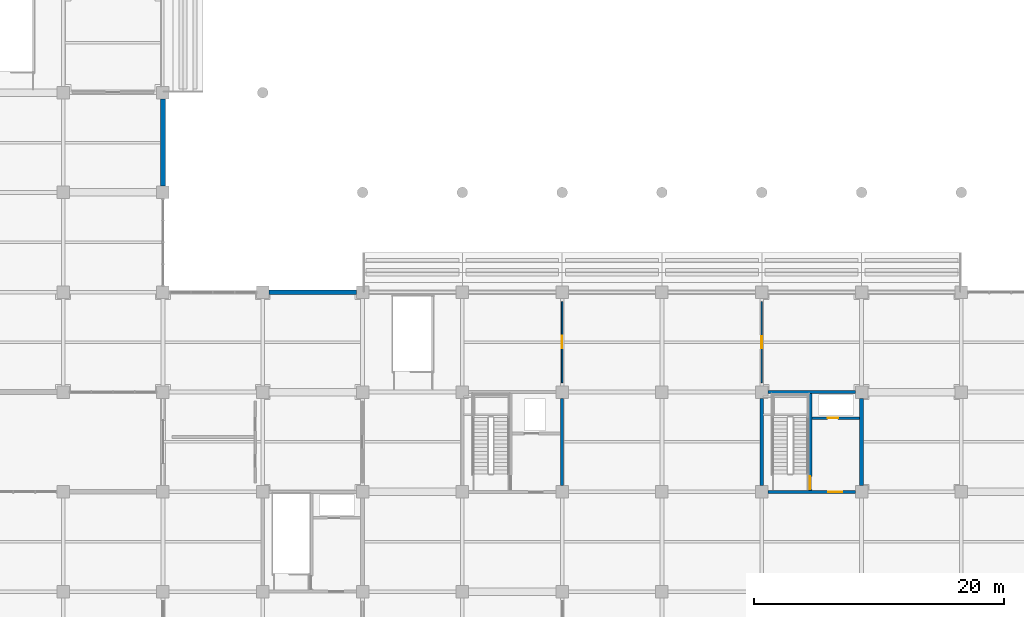
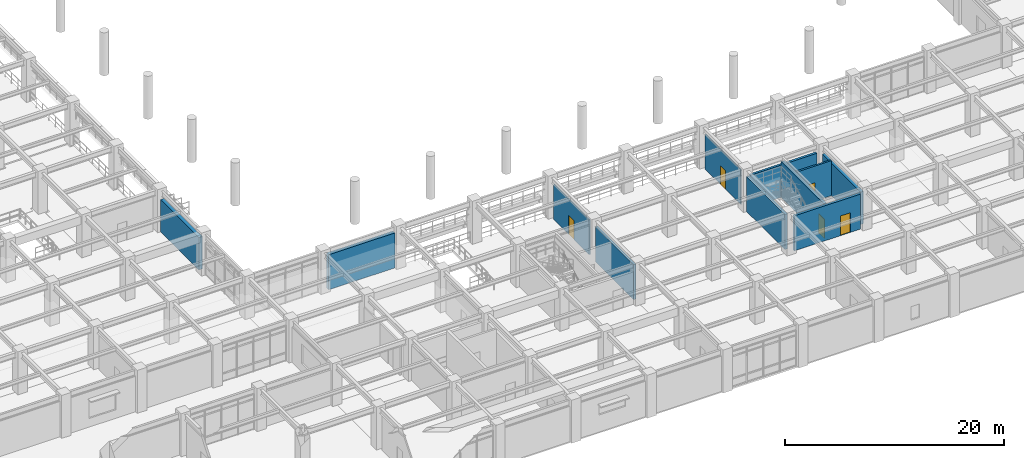
# One storey, part 73 of 117: 11 walls, 5 doors, 5 openings.
"""IFC4 building model written with IfcOpenShell, lengths in metres."""

from ifc_helpers import new_model, si_unit, direction, frame, frame_2d, origin, place, context, subcontext, project, spatial, rectangle, extrude, material, layer, layer_set, type_object, element, fill, save


model = new_model("IFC4")

# Units and contexts
model_context = context("Model", 3, precision=1e-05, world=origin(), true_north=direction((0.0, 1.0)))
body_context = subcontext(model_context, "Body", "Model", "MODEL_VIEW")
ifc_project = project(units=[si_unit("LENGTHUNIT", "METRE"), si_unit("AREAUNIT", "SQUARE_METRE"), si_unit("VOLUMEUNIT", "CUBIC_METRE"), si_unit("PLANEANGLEUNIT", "RADIAN"), si_unit("MASSUNIT", "GRAM", prefix="KILO")], contexts=[model_context])

# Site, building, storey
site_placement = place(None, origin())
site = spatial("IfcSite", under=ifc_project, at=site_placement, CompositionType="ELEMENT")
building_placement = place(site_placement, origin())
building = spatial("IfcBuilding", under=site, at=building_placement, Name="Haebicheon Civic Stadium", CompositionType="ELEMENT")
storey_placement = place(building_placement, frame((0.0, 0.0, 4.800048828125)))
storey = spatial("IfcBuildingStorey", under=building, at=storey_placement, Name="L02", CompositionType="ELEMENT", Elevation=4.800048828125)

# Wall
ifc_material_1 = material(Name="Concrete C40/50", Category="concrete")
ifc_layer_1 = layer(ifc_material_1, 0.239990234375, Name="Concrete C40/50")
ifc_layer_set_1 = layer_set([ifc_layer_1], Name="Concrete C40/50")
wall_type_1 = type_object("IfcWallType", Name="CW-SHR-240", PredefinedType="SHEAR", material=ifc_layer_set_1)
wall_1_placement = place(storey_placement, frame((96.0, 16.5, 0.0), z_axis=(0.0, 0.0, 1.0), x_axis=(0.0, 1.0, 0.0)))
element("IfcWall", 1, at=wall_1_placement, inside=storey, type_object=wall_type_1, material=ifc_layer_set_1, Name="KC-06 L02 east core shear wall", PredefinedType="SHEAR", context=body_context, shape_type="SweptSolid", body=[
    extrude(rectangle(XDim=7.0, YDim=0.239990234375, at=frame_2d((3.5, 0.0))), origin(), (0.0, 0.0, 1.0), 3.909912109375),
])

# Wall, opening, door
wall_2_placement = place(storey_placement, frame((112.5, 16.0, 0.0), z_axis=(0.0, 0.0, 1.0), x_axis=(1.0, 0.0, 0.0)))
wall_2 = element("IfcWall", 2, at=wall_2_placement, inside=storey, type_object=wall_type_1, material=ifc_layer_set_1, Name="KC-07 L02 south core shear wall", PredefinedType="SHEAR", context=body_context, shape_type="SweptSolid", body=[
    extrude(rectangle(XDim=7.0, YDim=0.239990234375, at=frame_2d((3.5, 0.0))), origin(), (0.0, 0.0, 1.0), 3.909912109375),
])
opening_1_placement = place(wall_2_placement, frame((4.85009765625, 0.0, 0.0)))
opening_1 = element("IfcOpeningElement", 3, at=opening_1_placement, cuts=wall_2, Name="Opening D-L02-KC-07-LOB", PredefinedType="OPENING", context=body_context, shape_type="SweptSolid", body=[
    extrude(rectangle(XDim=1.10009765625, YDim=2.199951171875, at=frame_2d((0.550048828125, 1.10009765625))), frame((0.0, 0.1298828125, 0.0), z_axis=(0.0, -1.0, 0.0), x_axis=(1.0, 0.0, 0.0)), (0.0, 0.0, 1.0), 0.260009765625),
])
ifc_material_2 = material(Name="Galvanised painted steel SM355", Category="steel")
door_type_1 = type_object("IfcDoorType", Name="ID-FD-1100", OperationType="NOTDEFINED", PredefinedType="DOOR", material=ifc_material_2)
door_1_placement = place(opening_1_placement, origin())
door_1 = element("IfcDoor", 4, at=door_1_placement, inside=storey, type_object=door_type_1, material=ifc_material_2, Name="L02 KC-07 lobby fire door", OperationType="SINGLE_SWING_LEFT", OverallHeight=2.199951171875, OverallWidth=1.10009765625, PredefinedType="DOOR", context=body_context, shape_type="SweptSolid", body=[
    extrude(rectangle(XDim=1.10009765625, YDim=2.199951171875, at=frame_2d((0.550048828125, 1.10009765625))), frame((0.0, 0.02490234375, 0.0), z_axis=(0.0, -1.0, 0.0), x_axis=(1.0, 0.0, 0.0)), (0.0, 0.0, 1.0), 0.050048828125),
])
fill(opening_1, door_1)

# Walls
wall_3_placement = place(storey_placement, frame((112.5, 24.0, 0.0), z_axis=(0.0, 0.0, 1.0), x_axis=(1.0, 0.0, 0.0)))
element("IfcWall", 5, at=wall_3_placement, inside=storey, type_object=wall_type_1, material=ifc_layer_set_1, Name="KC-07 L02 north core shear wall", PredefinedType="SHEAR", context=body_context, shape_type="SweptSolid", body=[
    extrude(rectangle(XDim=7.0, YDim=0.239990234375, at=frame_2d((3.5, 0.0))), origin(), (0.0, 0.0, 1.0), 3.60986328125),
])
ifc_material_3 = material(Name="Concrete C40/50", Category="concrete")
ifc_layer_2 = layer(ifc_material_3, 0.300048828125, Name="Concrete C40/50")
ifc_layer_set_2 = layer_set([ifc_layer_2], Name="Concrete C40/50")
wall_type_2 = type_object("IfcWallType", Name="CW-SHR-300", PredefinedType="SHEAR", material=ifc_layer_set_2)
wall_4_placement = place(storey_placement, frame((112.0, 16.5, 0.0), z_axis=(0.0, 0.0, 1.0), x_axis=(0.0, 1.0, 0.0)))
element("IfcWall", 6, at=wall_4_placement, inside=storey, type_object=wall_type_2, material=ifc_layer_set_2, Name="KC-07 L02 west core shear wall", PredefinedType="SHEAR", context=body_context, shape_type="SweptSolid", body=[
    extrude(rectangle(XDim=7.0, YDim=0.300048828125, at=frame_2d((3.5, 0.0))), origin(), (0.0, 0.0, 1.0), 3.909912109375),
])
wall_5_placement = place(storey_placement, frame((120.0, 16.5, 0.0), z_axis=(0.0, 0.0, 1.0), x_axis=(0.0, 1.0, 0.0)))
element("IfcWall", 7, at=wall_5_placement, inside=storey, type_object=wall_type_2, material=ifc_layer_set_2, Name="KC-07 L02 east core shear wall", PredefinedType="SHEAR", context=body_context, shape_type="SweptSolid", body=[
    extrude(rectangle(XDim=7.0, YDim=0.300048828125, at=frame_2d((3.5, 0.0))), origin(), (0.0, 0.0, 1.0), 3.60986328125),
])

# Wall, opening, door
wall_6_placement = place(storey_placement, frame((115.8798828125, 16.1201171875, 0.0), z_axis=(0.0, 0.0, 1.0), x_axis=(0.0, 1.0, 0.0)))
wall_6 = element("IfcWall", 8, at=wall_6_placement, inside=storey, type_object=wall_type_2, material=ifc_layer_set_2, Name="KC-07 L02 stair-lobby dividing shear wall", PredefinedType="SHEAR", context=body_context, shape_type="SweptSolid", body=[
    extrude(rectangle(XDim=7.759765625, YDim=0.300048828125, at=frame_2d((3.8798828125, 0.0))), origin(), (0.0, 0.0, 1.0), 4.010009765625),
])
opening_2_placement = place(wall_6_placement, frame((0.080078125, 0.0, 0.0)))
opening_2 = element("IfcOpeningElement", 9, at=opening_2_placement, cuts=wall_6, Name="Opening D-L02-KC-07-STR", PredefinedType="OPENING", context=body_context, shape_type="SweptSolid", body=[
    extrude(rectangle(XDim=1.050048828125, YDim=2.14990234375, at=frame_2d((0.52490234375, 1.074951171875))), frame((0.0, 0.159912109375, 0.0), z_axis=(0.0, -1.0, 0.0), x_axis=(1.0, 0.0, 0.0)), (0.0, 0.0, 1.0), 0.320068359375),
])
ifc_material_4 = material(Name="Galvanised painted steel SM355", Category="steel")
door_type_2 = type_object("IfcDoorType", Name="ID-FD-1050", OperationType="NOTDEFINED", PredefinedType="DOOR", material=ifc_material_4)
door_2_placement = place(opening_2_placement, origin())
door_2 = element("IfcDoor", 10, at=door_2_placement, inside=storey, type_object=door_type_2, material=ifc_material_4, Name="L02 ST-07 stairwell escape door", OperationType="SINGLE_SWING_RIGHT", OverallHeight=2.14990234375, OverallWidth=1.050048828125, PredefinedType="DOOR", context=body_context, shape_type="SweptSolid", body=[
    extrude(rectangle(XDim=1.050048828125, YDim=2.14990234375, at=frame_2d((0.52490234375, 1.074951171875))), frame((0.0, 0.02490234375, 0.0), z_axis=(0.0, -1.0, 0.0), x_axis=(1.0, 0.0, 0.0)), (0.0, 0.0, 1.0), 0.050048828125),
])
fill(opening_2, door_2)

# Walls
ifc_material_5 = material(Name="Concrete C40/50", Category="concrete")
ifc_layer_3 = layer(ifc_material_5, 0.3798828125, Name="Concrete C40/50")
ifc_layer_set_3 = layer_set([ifc_layer_3], Name="Concrete C40/50")
wall_type_3 = type_object("IfcWallType", Name="EW-BM-380", PredefinedType="SOLIDWALL", material=ifc_layer_set_3)
wall_7_placement = place(storey_placement, frame((64.0, 40.5, 0.0), z_axis=(0.0, 0.0, 1.0), x_axis=(0.0, 1.0, 0.0)))
element("IfcWall", 11, at=wall_7_placement, inside=storey, type_object=wall_type_3, material=ifc_layer_set_3, Name="L02 board-marked concrete facade wall 08-05-E", PredefinedType="SOLIDWALL", context=body_context, shape_type="SweptSolid", body=[
    extrude(rectangle(XDim=7.0, YDim=0.3798828125, at=frame_2d((3.5, 0.0))), origin(), (0.0, 0.0, 1.0), 3.60986328125),
])
wall_8_placement = place(storey_placement, frame((72.5, 32.0, 0.0), z_axis=(0.0, 0.0, 1.0), x_axis=(1.0, 0.0, 0.0)))
element("IfcWall", 12, at=wall_8_placement, inside=storey, type_object=wall_type_3, material=ifc_layer_set_3, Name="L02 board-marked concrete facade wall 09-04-N", PredefinedType="SOLIDWALL", context=body_context, shape_type="SweptSolid", body=[
    extrude(rectangle(XDim=7.0, YDim=0.3798828125, at=frame_2d((3.5, 0.0))), origin(), (0.0, 0.0, 1.0), 3.909912109375),
])

# Wall, opening, door
ifc_material_6 = material(Name="Concrete C35/45", Category="concrete")
ifc_layer_4 = layer(ifc_material_6, 0.199951171875, Name="Concrete C35/45")
ifc_layer_set_4 = layer_set([ifc_layer_4], Name="Concrete C35/45")
wall_type_4 = type_object("IfcWallType", Name="IW-FIR-200", PredefinedType="PARTITIONING", material=ifc_layer_set_4)
wall_9_placement = place(storey_placement, frame((116.030029296875, 21.919921875, 0.0), z_axis=(0.0, 0.0, 1.0), x_axis=(1.0, 0.0, 0.0)))
wall_9 = element("IfcWall", 13, at=wall_9_placement, inside=storey, type_object=wall_type_4, material=ifc_layer_set_4, Name="KC-07 L02 service riser wall", PredefinedType="PARTITIONING", context=body_context, shape_type="SweptSolid", body=[
    extrude(rectangle(XDim=3.820068359375, YDim=0.199951171875, at=frame_2d((1.91015625, 0.0))), origin(), (0.0, 0.0, 1.0), 3.909912109375),
])
opening_3_placement = place(wall_9_placement, frame((1.25, 0.0, 0.0)))
opening_3 = element("IfcOpeningElement", 14, at=opening_3_placement, cuts=wall_9, Name="Opening D-L02-KC-07-RSR", PredefinedType="OPENING", context=body_context, shape_type="SweptSolid", body=[
    extrude(rectangle(XDim=0.85009765625, YDim=2.050048828125, at=frame_2d((0.425048828125, 1.02490234375))), frame((0.0, 0.10986328125, 0.0), z_axis=(0.0, -1.0, 0.0), x_axis=(1.0, 0.0, 0.0)), (0.0, 0.0, 1.0), 0.219970703125),
])
ifc_material_7 = material(Name="Galvanised painted steel SM355", Category="steel")
door_type_3 = type_object("IfcDoorType", Name="ID-RSR-0850", OperationType="NOTDEFINED", PredefinedType="TRAPDOOR", material=ifc_material_7)
door_3_placement = place(opening_3_placement, origin())
door_3 = element("IfcDoor", 15, at=door_3_placement, inside=storey, type_object=door_type_3, material=ifc_material_7, Name="L02 KC-07 riser access door", OperationType="SINGLE_SWING_LEFT", OverallHeight=2.050048828125, OverallWidth=0.85009765625, PredefinedType="TRAPDOOR", context=body_context, shape_type="SweptSolid", body=[
    extrude(rectangle(XDim=0.85009765625, YDim=2.050048828125, at=frame_2d((0.425048828125, 1.02490234375))), frame((0.0, 0.02490234375, 0.0), z_axis=(0.0, -1.0, 0.0), x_axis=(1.0, 0.0, 0.0)), (0.0, 0.0, 1.0), 0.050048828125),
])
fill(opening_3, door_3)

ifc_material_8 = material(Name="Anodised aluminium and laminated glass", Category="aluminium")
ifc_layer_5 = layer(ifc_material_8, 0.10009765625, Name="Anodised aluminium and laminated glass")
ifc_layer_set_5 = layer_set([ifc_layer_5], Name="Anodised aluminium and laminated glass")
wall_type_5 = type_object("IfcWallType", Name="IW-PRT-100", PredefinedType="PARTITIONING", material=ifc_layer_set_5)
wall_10_placement = place(storey_placement, frame((112.0, 24.75, 0.0), z_axis=(0.0, 0.0, 1.0), x_axis=(0.0, 1.0, 0.0)))
wall_10 = element("IfcWall", 16, at=wall_10_placement, inside=storey, type_object=wall_type_5, material=ifc_layer_set_5, Name="L02 Food and Beverage Kiosk partition wall", PredefinedType="PARTITIONING", context=body_context, shape_type="SweptSolid", body=[
    extrude(rectangle(XDim=6.5, YDim=0.10009765625, at=frame_2d((3.25, 0.0))), origin(), (0.0, 0.0, 1.0), 3.909912109375),
])
opening_4_placement = place(wall_10_placement, frame((2.77490234375, 0.0, 0.0)))
opening_4 = element("IfcOpeningElement", 17, at=opening_4_placement, cuts=wall_10, Name="Opening D-L02-213", PredefinedType="OPENING", context=body_context, shape_type="SweptSolid", body=[
    extrude(rectangle(XDim=0.949951171875, YDim=2.10009765625, at=frame_2d((0.47509765625, 1.050048828125))), frame((0.0, 0.06005859375, 0.0), z_axis=(0.0, -1.0, 0.0), x_axis=(1.0, 0.0, 0.0)), (0.0, 0.0, 1.0), 0.1201171875),
])
ifc_material_9 = material(Name="Engineered hardwood timber", Category="wood")
door_type_4 = type_object("IfcDoorType", Name="ID-RM-0950", OperationType="NOTDEFINED", PredefinedType="DOOR", material=ifc_material_9)
door_4_placement = place(opening_4_placement, origin())
door_4 = element("IfcDoor", 18, at=door_4_placement, inside=storey, type_object=door_type_4, material=ifc_material_9, Name="L02 Food and Beverage Kiosk entrance door D-L02-213", OperationType="SINGLE_SWING_LEFT", OverallHeight=2.10009765625, OverallWidth=0.949951171875, PredefinedType="DOOR", context=body_context, shape_type="SweptSolid", body=[
    extrude(rectangle(XDim=0.949951171875, YDim=2.10009765625, at=frame_2d((0.47509765625, 1.050048828125))), frame((0.0, 0.02490234375, 0.0), z_axis=(0.0, -1.0, 0.0), x_axis=(1.0, 0.0, 0.0)), (0.0, 0.0, 1.0), 0.050048828125),
])
fill(opening_4, door_4)

ifc_material_10 = material(Name="Gypsum plasterboard on steel studs", Category="gypsum")
ifc_layer_6 = layer(ifc_material_10, 0.1201171875, Name="Gypsum plasterboard on steel studs")
ifc_layer_set_6 = layer_set([ifc_layer_6], Name="Gypsum plasterboard on steel studs")
wall_type_6 = type_object("IfcWallType", Name="IW-PRT-120", PredefinedType="PARTITIONING", material=ifc_layer_set_6)
wall_11_placement = place(storey_placement, frame((96.0, 24.75, 0.0), z_axis=(0.0, 0.0, 1.0), x_axis=(0.0, 1.0, 0.0)))
wall_11 = element("IfcWall", 19, at=wall_11_placement, inside=storey, type_object=wall_type_6, material=ifc_layer_set_6, Name="L02 Merchandise Kiosk partition wall", PredefinedType="PARTITIONING", context=body_context, shape_type="SweptSolid", body=[
    extrude(rectangle(XDim=6.5, YDim=0.1201171875, at=frame_2d((3.25, 0.0))), origin(), (0.0, 0.0, 1.0), 3.909912109375),
])
opening_5_placement = place(wall_11_placement, frame((2.75, 0.0, 0.0)))
opening_5 = element("IfcOpeningElement", 20, at=opening_5_placement, cuts=wall_11, Name="Opening D-L02-210", PredefinedType="OPENING", context=body_context, shape_type="SweptSolid", body=[
    extrude(rectangle(XDim=1.0, YDim=2.10009765625, at=frame_2d((0.5, 1.050048828125))), frame((0.0, 0.070068359375, 0.0), z_axis=(0.0, -1.0, 0.0), x_axis=(1.0, 0.0, 0.0)), (0.0, 0.0, 1.0), 0.14013671875),
])
ifc_material_11 = material(Name="Engineered hardwood timber", Category="wood")
door_type_5 = type_object("IfcDoorType", Name="ID-RM-1000", OperationType="NOTDEFINED", PredefinedType="DOOR", material=ifc_material_11)
door_5_placement = place(opening_5_placement, origin())
door_5 = element("IfcDoor", 21, at=door_5_placement, inside=storey, type_object=door_type_5, material=ifc_material_11, Name="L02 Merchandise Kiosk entrance door D-L02-210", OperationType="SINGLE_SWING_RIGHT", OverallHeight=2.10009765625, OverallWidth=1.0, PredefinedType="DOOR", context=body_context, shape_type="SweptSolid", body=[
    extrude(rectangle(XDim=1.0, YDim=2.10009765625, at=frame_2d((0.5, 1.050048828125))), frame((0.0, 0.02490234375, 0.0), z_axis=(0.0, -1.0, 0.0), x_axis=(1.0, 0.0, 0.0)), (0.0, 0.0, 1.0), 0.050048828125),
])
fill(opening_5, door_5)

save(model, "model.ifc")
